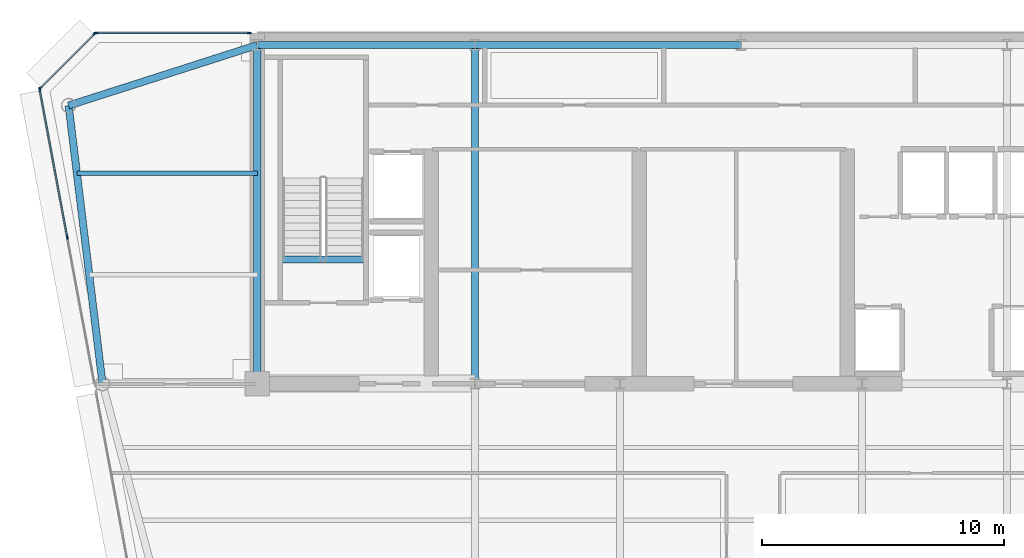
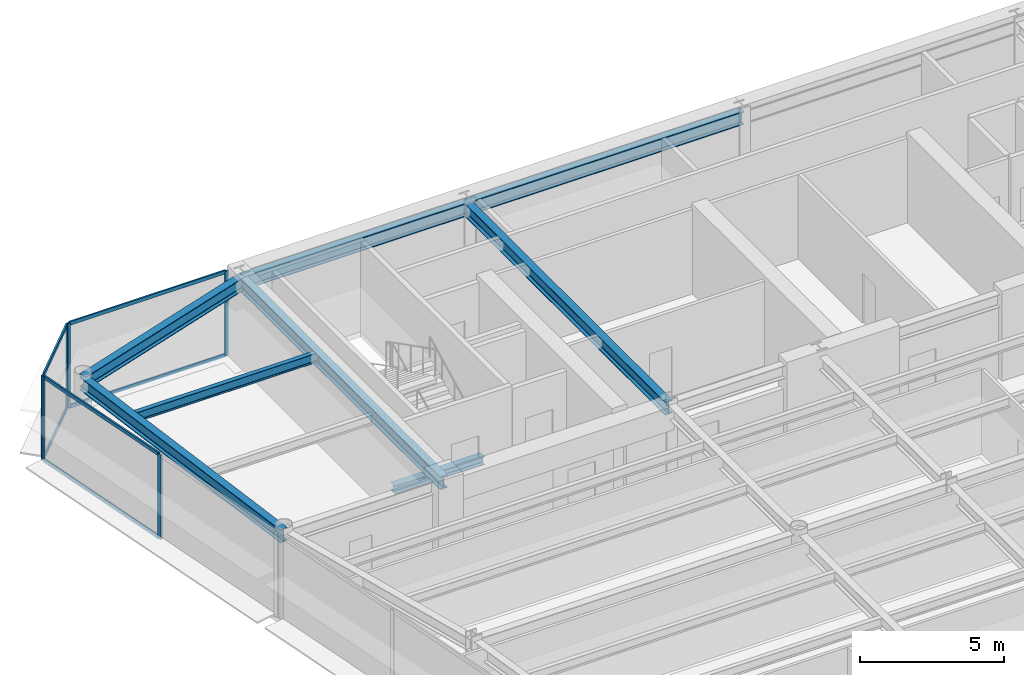
# One storey, part 6 of 14: 12 members, 8 beams, 3 elements without a shape of their own.
"""IFC4 building model written with IfcOpenShell, lengths in metres."""

import ifcopenshell
import ifcopenshell.guid

model = None  # the IFC model being written
_history = None  # IfcOwnerHistory: only IFC2X3 demands one
_inside = {}  # id of a spatial element -> (the spatial element, [elements in it])
_under = {}  # id of a project, library or spatial element -> (it, [spatial elements below it])
_declared = {}  # id of a project -> (the project, [libraries it declares])
_typed = {}  # id of a type object -> (the type object, [elements of that type])
_made_of = {}  # id of a material, layer set ... -> (it, [elements and type objects made of it])


def new_model(schema):
    """Start an empty IFC model of exactly this schema.

    Asked for "IFC4X3", IfcOpenShell would pick the latest addendum, in which some entities
    have other attributes; the version numbers below select the first issue.
    IFC2X3 requires an IfcOwnerHistory on every rooted entity: one is made here for all.
    """
    global model, _history
    if schema == "IFC4X3":
        model = ifcopenshell.file(schema_version=(4, 3, 0, 0))
    else:
        model = ifcopenshell.file(schema=schema)
    _inside.clear()
    _under.clear()
    _declared.clear()
    _typed.clear()
    _made_of.clear()
    _history = None
    if model.schema == "IFC2X3":
        org = make("IfcOrganization", Name="unknown")
        user = make(
            "IfcPersonAndOrganization",
            ThePerson=make("IfcPerson", FamilyName="unknown"),
            TheOrganization=org,
        )
        app = make(
            "IfcApplication",
            ApplicationDeveloper=org,
            Version="unknown",
            ApplicationFullName="unknown",
            ApplicationIdentifier="unknown",
        )
        _history = make(
            "IfcOwnerHistory",
            OwningUser=user,
            OwningApplication=app,
            ChangeAction="ADDED",
            CreationDate=0,
        )
    return model


def make(cls, **values):
    """One entity of the class cls with the attributes given. An attribute that is None is left unset."""
    return model.create_entity(
        cls, **{name: value for name, value in values.items() if value is not None}
    )


def rooted(cls, **values):
    """An entity with a GlobalId (a new one), such as an element, a storey or a relation."""
    return make(cls, GlobalId=ifcopenshell.guid.new(), OwnerHistory=_history, **values)


def si_unit(unit_type, name, prefix=None):
    """IfcSIUnit, for example si_unit("LENGTHUNIT", "METRE", prefix="MILLI")."""
    return make("IfcSIUnit", UnitType=unit_type, Prefix=prefix, Name=name)


def assignment(units):
    """IfcUnitAssignment: the units of a project."""
    return None if units is None else make("IfcUnitAssignment", Units=units)


def point(xyz):
    """IfcCartesianPoint."""
    return None if xyz is None else make("IfcCartesianPoint", Coordinates=xyz)


def direction(xyz):
    """IfcDirection."""
    return None if xyz is None else make("IfcDirection", DirectionRatios=xyz)


def frame(location, z_axis=None, x_axis=None):
    """IfcAxis2Placement3D, a coordinate frame: its origin and axes. An axis left out is left unset."""
    return make(
        "IfcAxis2Placement3D",
        Location=point(location),
        Axis=direction(z_axis),
        RefDirection=direction(x_axis),
    )


def frame_2d(location, x_axis=None):
    """IfcAxis2Placement2D, a coordinate frame in the plane: its origin and x axis."""
    return make(
        "IfcAxis2Placement2D", Location=point(location), RefDirection=direction(x_axis)
    )


def origin():
    """The frame at (0, 0, 0) with its axes left unset."""
    return frame((0.0, 0.0, 0.0))


def origin_2d():
    """The frame at (0, 0) in the plane with its x axis left unset."""
    return frame_2d((0.0, 0.0))


def place(relative_to, where):
    """IfcLocalPlacement: puts the frame where relative to a parent placement (None: the world)."""
    return make(
        "IfcLocalPlacement", PlacementRelTo=relative_to, RelativePlacement=where
    )


def context(
    kind, dimensions, precision=None, world=None, true_north=None, identifier=None
):
    """IfcGeometricRepresentationContext, for example the 3D "Model" context."""
    return make(
        "IfcGeometricRepresentationContext",
        ContextIdentifier=identifier,
        ContextType=kind,
        CoordinateSpaceDimension=dimensions,
        Precision=precision,
        WorldCoordinateSystem=world,
        TrueNorth=true_north,
    )


def subcontext(parent, identifier, kind, view, scale=None):
    """IfcGeometricRepresentationSubContext, for example "Body" below "Model"."""
    return make(
        "IfcGeometricRepresentationSubContext",
        ContextIdentifier=identifier,
        ContextType=kind,
        ParentContext=parent,
        TargetScale=scale,
        TargetView=view,
    )


def project(units=None, contexts=None):
    """IfcProject with its units and contexts."""
    return rooted(
        "IfcProject",
        Name="project",
        RepresentationContexts=contexts,
        UnitsInContext=assignment(units),
    )


def spatial(cls, under=None, at=None, **own):
    """A site, building, storey or space (cls), placed at a placement, below another one or the project."""
    s = rooted(cls, ObjectPlacement=at, **own)
    if under is not None:
        _under.setdefault(under.id(), (under, []))[1].append(s)
    return s


def profile(cls, at=None, kind="AREA", **sizes):
    """A parametric profile (cls). Its sizes go by their IFC names, for example OverallWidth=200.0."""
    return make(cls, ProfileType=kind, Position=at, **sizes)


def rectangle(**sizes):
    """IfcRectangleProfileDef."""
    return profile("IfcRectangleProfileDef", **sizes)


def i_section(**sizes):
    """IfcIShapeProfileDef."""
    return profile("IfcIShapeProfileDef", **sizes)


def extrude(swept, where, along, depth):
    """IfcExtrudedAreaSolid: the profile swept, set in the frame where, extruded along a direction by depth."""
    return make(
        "IfcExtrudedAreaSolid",
        SweptArea=swept,
        Position=where,
        ExtrudedDirection=direction(along),
        Depth=depth,
    )


def shape(context_of_items, identifier, shape_type, items):
    """IfcShapeRepresentation: the items that make up one representation, for example the "Body"."""
    return make(
        "IfcShapeRepresentation",
        ContextOfItems=context_of_items,
        RepresentationIdentifier=identifier,
        RepresentationType=shape_type,
        Items=items,
    )


def source(mapping_origin, context_of_items, identifier, shape_type, items):
    """IfcRepresentationMap: a shape defined once, which mapped items show again and again."""
    return make(
        "IfcRepresentationMap",
        MappingOrigin=mapping_origin,
        MappedRepresentation=shape(context_of_items, identifier, shape_type, items),
    )


def transform(
    local_origin,
    x_axis=None,
    y_axis=None,
    z_axis=None,
    scale=None,
    scale2=None,
    scale3=None,
    uniform=True,
):
    """IfcCartesianTransformationOperator3D, or its non-uniform kind. x_axis, y_axis, z_axis: its Axis1, 2, 3."""
    if uniform:
        return make(
            "IfcCartesianTransformationOperator3D",
            Axis1=direction(x_axis),
            Axis2=direction(y_axis),
            LocalOrigin=point(local_origin),
            Scale=scale,
            Axis3=direction(z_axis),
        )
    return make(
        "IfcCartesianTransformationOperator3DnonUniform",
        Axis1=direction(x_axis),
        Axis2=direction(y_axis),
        LocalOrigin=point(local_origin),
        Scale=scale,
        Axis3=direction(z_axis),
        Scale2=scale2,
        Scale3=scale3,
    )


def mapped(mapping_source, mapping_target):
    """IfcMappedItem: shows the shape of a source again, moved by a transform."""
    return make(
        "IfcMappedItem", MappingSource=mapping_source, MappingTarget=mapping_target
    )


def material(Name=None, Category=None):
    """IfcMaterial."""
    return make("IfcMaterial", Name=Name, Category=Category)


def layer(
    of_material, thickness, ventilated=None, Name=None, Category=None, Priority=None
):
    """IfcMaterialLayer: one layer of a wall or slab, of a material (None: an air gap)."""
    return make(
        "IfcMaterialLayer",
        Material=of_material,
        LayerThickness=thickness,
        IsVentilated=ventilated,
        Name=Name,
        Category=Category,
        Priority=Priority,
    )


def layer_set(layers, Name=None):
    """IfcMaterialLayerSet."""
    return make("IfcMaterialLayerSet", MaterialLayers=layers, LayerSetName=Name)


def material_profile(
    of_material, cross_section, Name=None, Category=None, Priority=None
):
    """IfcMaterialProfile: a cross section and its material."""
    return make(
        "IfcMaterialProfile",
        Name=Name,
        Material=of_material,
        Profile=cross_section,
        Priority=Priority,
        Category=Category,
    )


def profile_set(profiles, Name=None, composite=None):
    """IfcMaterialProfileSet."""
    return make(
        "IfcMaterialProfileSet",
        Name=Name,
        MaterialProfiles=profiles,
        CompositeProfile=composite,
    )


def made_of(thing, what):
    """Note that an element or type object is made of a material, layer set ...; save() writes the relation."""
    if what is not None:
        _made_of.setdefault(what.id(), (what, []))[1].append(thing)
    return thing


def type_object(cls, material=None, **own):
    """A type object (cls), such as IfcWallType, which elements share."""
    return made_of(rooted(cls, **own), material)


def element(
    cls,
    number,
    at=None,
    inside=None,
    cuts=None,
    type_object=None,
    material=None,
    context=None,
    identifier="Body",
    shape_type=None,
    held_by="IfcProductDefinitionShape",
    body=None,
    shapes=None,
    **own,
):
    """One element of the class cls, such as IfcWall. Its Tag is "e" and its number.

    at: its placement. inside: the storey or other place that contains it. cuts: it is an
    opening in that element (IfcRelVoidsElement). A single representation is given by context,
    identifier, shape_type and body (its items); several are given by shapes. held_by: the class
    of the entity that holds the representations. save() writes the other relations.
    """
    e = rooted(cls, Tag="e%d" % number, ObjectPlacement=at, **own)
    if body is not None:
        shapes = [shape(context, identifier, shape_type, body)]
    if shapes is not None:
        e.Representation = make(held_by, Representations=shapes)
    if inside is not None:
        _inside.setdefault(inside.id(), (inside, []))[1].append(e)
    if cuts is not None:
        rooted(
            "IfcRelVoidsElement", RelatingBuildingElement=cuts, RelatedOpeningElement=e
        )
    if type_object is not None:
        _typed.setdefault(type_object.id(), (type_object, []))[1].append(e)
    return made_of(e, material)


def aggregate(whole, parts):
    """IfcRelAggregates: a whole, such as a stair, and the parts it consists of."""
    return rooted("IfcRelAggregates", RelatingObject=whole, RelatedObjects=parts)


def save(model, path):
    """Write the relations noted so far, then the file.

    IfcRelAggregates (storeys below a building ...), IfcRelContainedInSpatialStructure (elements
    in a storey), IfcRelDefinesByType, IfcRelAssociatesMaterial and IfcRelDeclares: one each for
    every whole, place, type object, material and project.
    """
    for whole, parts in _under.values():
        aggregate(whole, parts)
    for where, things in _inside.values():
        rooted(
            "IfcRelContainedInSpatialStructure",
            RelatedElements=things,
            RelatingStructure=where,
        )
    for kind, things in _typed.values():
        rooted("IfcRelDefinesByType", RelatedObjects=things, RelatingType=kind)
    for what, things in _made_of.values():
        rooted("IfcRelAssociatesMaterial", RelatedObjects=things, RelatingMaterial=what)
    for by, libraries in _declared.values():
        rooted("IfcRelDeclares", RelatingContext=by, RelatedDefinitions=libraries)
    model.write(path)


model = new_model("IFC4")

# Units and contexts
model_context = context("Model", 3, precision=1e-05, world=origin(), true_north=direction((0.0, 1.0)))
body_context = subcontext(model_context, "Body", "Model", "MODEL_VIEW")
ifc_project = project(units=[si_unit("LENGTHUNIT", "METRE"), si_unit("AREAUNIT", "SQUARE_METRE"), si_unit("VOLUMEUNIT", "CUBIC_METRE"), si_unit("PLANEANGLEUNIT", "RADIAN"), si_unit("MASSUNIT", "GRAM", prefix="KILO")], contexts=[model_context])

# Site, building, storey
site_placement = place(None, origin())
site = spatial("IfcSite", under=ifc_project, at=site_placement, CompositionType="ELEMENT")
building_placement = place(site_placement, origin())
building = spatial("IfcBuilding", under=site, at=building_placement, Name="Vaeldorn Concourse Tower", CompositionType="ELEMENT")
storey_placement = place(building_placement, frame((0.0, 0.0, 238.39990234375)))
storey = spatial("IfcBuildingStorey", under=building, at=storey_placement, Name="L61", CompositionType="ELEMENT", Elevation=238.39990234375)

# Beams
ifc_material_1 = material(Name="Steel S355", Category="steel")
ifc_material_profile_1 = material_profile(ifc_material_1, i_section(OverallWidth=0.300048828125, OverallDepth=0.340087890625, WebThickness=0.011962890625, FlangeThickness=0.021484375, FilletRadius=0.027099609375, at=origin_2d()), Name="HEB 340")
ifc_profile_set_1 = profile_set([ifc_material_profile_1], Name="Steel S355")
beam_type_1 = type_object("IfcBeamType", Name="BM-ST-TRIM", PredefinedType="BEAM", material=ifc_profile_set_1)
shared_shape_1 = source(origin(), body_context, "Body", "SweptSolid", [
    extrude(i_section(OverallWidth=0.300048828125, OverallDepth=0.340087890625, WebThickness=0.011962890625, FlangeThickness=0.021484375, FilletRadius=0.027099609375, at=origin_2d()), origin(), (0.0, 0.0, 1.0), 3.590087890625),
])
beam_1_placement = place(storey_placement, frame((14.929931640625, 41.639892578125, -0.389892578125), z_axis=(1.0, 0.0, 0.0), x_axis=(0.0, 1.0, 0.0)))
element("IfcBeam", 1, at=beam_1_placement, inside=storey, type_object=beam_type_1, Name="Stair Landing Trimmer Beam ST-1 L61", PredefinedType="BEAM", context=body_context, shape_type="MappedRepresentation", body=[
    mapped(shared_shape_1, transform((0.0, 0.0, 0.0), scale=1.0)),
])
ifc_material_profile_2 = material_profile(ifc_material_1, i_section(OverallWidth=0.179931640625, OverallDepth=0.39990234375, WebThickness=0.008544921875, FlangeThickness=0.013427734375, FilletRadius=0.02099609375, at=origin_2d()), Name="IPE 400")
ifc_profile_set_2 = profile_set([ifc_material_profile_2], Name="Steel S355")
beam_type_2 = type_object("IfcBeamType", Name="BM-JS-IPE400", PredefinedType="JOIST", material=ifc_profile_set_2)
shared_shape_2 = source(origin(), body_context, "Body", "SweptSolid", [
    extrude(i_section(OverallWidth=0.179931640625, OverallDepth=0.39990234375, WebThickness=0.008544921875, FlangeThickness=0.013427734375, FilletRadius=0.02099609375, at=origin_2d()), origin(), (0.0, 0.0, 1.0), 7.458984375),
])
beam_2_placement = place(storey_placement, frame((6.541015625, 45.199951171875, 3.380126953125), z_axis=(1.0, 0.0, 0.0), x_axis=(0.0, 1.0, 0.0)))
element("IfcBeam", 2, at=beam_2_placement, inside=storey, type_object=beam_type_2, Name="Beam JS-L61-NW-452", PredefinedType="JOIST", context=body_context, shape_type="MappedRepresentation", body=[
    mapped(shared_shape_2, transform((0.0, 0.0, 0.0), scale=1.0)),
])
ifc_material_profile_3 = material_profile(ifc_material_1, i_section(OverallWidth=0.300048828125, OverallDepth=0.550048828125, WebThickness=0.014892578125, FlangeThickness=0.029052734375, FilletRadius=0.027099609375, at=origin_2d()), Name="HEB 550")
ifc_profile_set_3 = profile_set([ifc_material_profile_3], Name="Steel S355")
beam_type_3 = type_object("IfcBeamType", Name="BM-PG-HEB550", PredefinedType="BEAM", material=ifc_profile_set_3)
shared_shape_3 = source(origin(), body_context, "Body", "SweptSolid", [
    extrude(i_section(OverallWidth=0.300048828125, OverallDepth=0.550048828125, WebThickness=0.014892578125, FlangeThickness=0.029052734375, FilletRadius=0.027099609375, at=origin_2d()), origin(), (0.0, 0.0, 1.0), 9.0),
])
beam_3_placement = place(storey_placement, frame((14.0, 50.5, 3.30517578125), z_axis=(1.0, 0.0, 0.0), x_axis=(0.0, 1.0, 0.0)))
element("IfcBeam", 3, at=beam_3_placement, inside=storey, type_object=beam_type_3, Name="Beam BM-L61-C-HC1-C-HC2", PredefinedType="BEAM", context=body_context, shape_type="MappedRepresentation", body=[
    mapped(shared_shape_3, transform((0.0, 0.0, 0.0), scale=1.0)),
])
shared_shape_4 = source(origin(), body_context, "Body", "SweptSolid", [
    extrude(i_section(OverallWidth=0.300048828125, OverallDepth=0.550048828125, WebThickness=0.014892578125, FlangeThickness=0.029052734375, FilletRadius=0.027099609375, at=origin_2d()), origin(), (0.0, 0.0, 1.0), 11.0),
])
beam_4_placement = place(storey_placement, frame((23.0, 50.5, 3.30517578125), z_axis=(1.0, 0.0, 0.0), x_axis=(0.0, 1.0, 0.0)))
element("IfcBeam", 4, at=beam_4_placement, inside=storey, type_object=beam_type_3, Name="Beam BM-L61-C-HC2-C-HC3", PredefinedType="BEAM", context=body_context, shape_type="MappedRepresentation", body=[
    mapped(shared_shape_4, transform((0.0, 0.0, 0.0), scale=1.0)),
])
shared_shape_5 = source(origin(), body_context, "Body", "SweptSolid", [
    extrude(i_section(OverallWidth=0.300048828125, OverallDepth=0.550048828125, WebThickness=0.014892578125, FlangeThickness=0.029052734375, FilletRadius=0.027099609375, at=origin_2d()), origin(), (0.0, 0.0, 1.0), 14.0),
])
for number, where, z_axis, x_axis, name in (
    (5, (14.0, 36.5, 3.30517578125), (0.0, 1.0, 0.0), (-1.0, 0.0, 0.0), "Beam BM-L61-C-FC1-C-HC1"),
    (6, (23.0, 36.5, 3.30517578125), (0.0, 1.0, 0.0), (-1.0, 0.0, 0.0), "Beam BM-L61-C-FC2-C-HC2"),
):
    element("IfcBeam", number, at=place(storey_placement, frame(where, z_axis=z_axis, x_axis=x_axis)), inside=storey, type_object=beam_type_3, Name=name, PredefinedType="BEAM", context=body_context, shape_type="MappedRepresentation", body=[
        mapped(shared_shape_5, transform((0.0, 0.0, 0.0), scale=1.0)),
    ])
shared_shape_6 = source(origin(), body_context, "Body", "SweptSolid", [
    extrude(i_section(OverallWidth=0.300048828125, OverallDepth=0.550048828125, WebThickness=0.014892578125, FlangeThickness=0.029052734375, FilletRadius=0.027099609375, at=origin_2d()), origin(), (0.0, 0.0, 1.0), 8.19091796875),
])
beam_5_placement = place(storey_placement, frame((6.199951171875, 48.0, 3.30517578125), z_axis=(0.952282843383, 0.305216949396, 0.0), x_axis=(-0.305216949396, 0.952282843383, 0.0)))
element("IfcBeam", 7, at=beam_5_placement, inside=storey, type_object=beam_type_3, Name="Beam BM-L61-C-NW1-C-HC1", PredefinedType="BEAM", context=body_context, shape_type="MappedRepresentation", body=[
    mapped(shared_shape_6, transform((0.0, 0.0, 0.0), scale=1.0)),
])
shared_shape_7 = source(origin(), body_context, "Body", "SweptSolid", [
    extrude(i_section(OverallWidth=0.300048828125, OverallDepth=0.550048828125, WebThickness=0.014892578125, FlangeThickness=0.029052734375, FilletRadius=0.027099609375, at=origin_2d()), origin(), (0.0, 0.0, 1.0), 11.5849609375),
])
beam_6_placement = place(storey_placement, frame((6.199951171875, 48.0, 3.30517578125), z_axis=(0.120859382899, -0.992669637677, 0.0), x_axis=(0.992669637677, 0.120859382899, 0.0)))
element("IfcBeam", 8, at=beam_6_placement, inside=storey, type_object=beam_type_3, Name="Beam BM-L61-C-NW1-C-NW2", PredefinedType="BEAM", context=body_context, shape_type="MappedRepresentation", body=[
    mapped(shared_shape_7, transform((0.0, 0.0, 0.0), scale=1.0)),
])

# Curtain wall, members
ifc_material_2 = material(Name="Anodised Bronze Aluminium", Category="aluminium")
ifc_layer_1 = layer(ifc_material_2, 0.179931640625)
ifc_layer_set_1 = layer_set([ifc_layer_1], Name="Anodised Bronze Aluminium")
curtain_wall_type_1 = type_object("IfcCurtainWallType", Name="CW-SYS-05", PredefinedType="NOTDEFINED", material=ifc_layer_set_1)
curtain_wall_1_placement = place(storey_placement, origin())
curtain_wall_1 = element("IfcCurtainWall", 9, at=curtain_wall_1_placement, inside=storey, type_object=curtain_wall_type_1, Name="Unitised Curtain Wall CW-L61-E10-1", PredefinedType="NOTDEFINED")
ifc_material_profile_4 = material_profile(ifc_material_2, rectangle(XDim=0.06494140625, YDim=0.14990234375, at=origin_2d()), Name="CWT 65x150")
ifc_profile_set_4 = profile_set([ifc_material_profile_4], Name="Anodised Bronze Aluminium")
member_type_1 = type_object("IfcMemberType", Name="CWT-BRONZE-150", PredefinedType="USERDEFINED", material=ifc_profile_set_4)
shared_shape_8 = source(origin(), body_context, "Body", "SweptSolid", [
    extrude(rectangle(XDim=0.06494140625, YDim=0.14990234375, at=origin_2d()), origin(), (0.0, 0.0, 1.0), 3.123046875),
])
member_1_placement = place(storey_placement, frame((7.254150390625, 50.9541015625, 0.03271484375), z_axis=(-0.707106781187, -0.707106781187, 0.0), x_axis=(0.707106781187, -0.707106781187, 0.0)))
member_1 = element("IfcMember", 10, at=member_1_placement, type_object=member_type_1, Name="CW-05 transom 1.1", ObjectType="TRANSOM", PredefinedType="USERDEFINED", context=body_context, shape_type="MappedRepresentation", body=[
    mapped(shared_shape_8, transform((0.0, 0.0, 0.0), scale=1.0)),
])
member_2_placement = place(storey_placement, frame((7.254150390625, 50.9541015625, 3.547607421875), z_axis=(-0.707106781187, -0.707106781187, 0.0), x_axis=(0.707106781187, -0.707106781187, 0.0)))
member_2 = element("IfcMember", 11, at=member_2_placement, type_object=member_type_1, Name="CW-05 transom 1.2", ObjectType="TRANSOM", PredefinedType="USERDEFINED", context=body_context, shape_type="MappedRepresentation", body=[
    mapped(shared_shape_8, transform((0.0, 0.0, 0.0), scale=1.0)),
])

curtain_wall_2_placement = place(storey_placement, origin())
curtain_wall_2 = element("IfcCurtainWall", 12, at=curtain_wall_2_placement, inside=storey, type_object=curtain_wall_type_1, Name="Unitised Curtain Wall CW-L61-E09-2", PredefinedType="NOTDEFINED")
ifc_material_profile_5 = material_profile(ifc_material_2, rectangle(XDim=0.06494140625, YDim=0.169921875, at=origin_2d()), Name="CWM 65x170")
ifc_profile_set_5 = profile_set([ifc_material_profile_5], Name="Anodised Bronze Aluminium")
member_type_2 = type_object("IfcMemberType", Name="CWM-BRONZE-170", PredefinedType="MULLION", material=ifc_profile_set_5)
shared_shape_9 = source(origin(), body_context, "Body", "SweptSolid", [
    extrude(rectangle(XDim=0.06494140625, YDim=0.169921875, at=origin_2d()), origin(), (0.0, 0.0, 1.0), 3.580078125),
])
member_3_placement = place(storey_placement, frame((13.672607421875, 51.0, 0.0), z_axis=(0.0, 0.0, 1.0), x_axis=(0.0, -1.0, 0.0)))
member_3 = element("IfcMember", 13, at=member_3_placement, type_object=member_type_2, Name="CW-05 mullion 1", PredefinedType="MULLION", context=body_context, shape_type="MappedRepresentation", body=[
    mapped(shared_shape_9, transform((0.0, 0.0, 0.0), scale=1.0)),
])
member_4_placement = place(storey_placement, frame((7.33251953125, 51.0, 0.0), z_axis=(0.0, 0.0, 1.0), x_axis=(0.0, -1.0, 0.0)))
member_4 = element("IfcMember", 14, at=member_4_placement, type_object=member_type_2, Name="CW-05 mullion 2", PredefinedType="MULLION", context=body_context, shape_type="MappedRepresentation", body=[
    mapped(shared_shape_9, transform((0.0, 0.0, 0.0), scale=1.0)),
])

# Member
member_5_placement = place(storey_placement, frame((7.277099609375, 50.97705078125, 0.0), z_axis=(0.0, 0.0, 1.0), x_axis=(0.707106781187, -0.707106781187, 0.0)))
member_5 = element("IfcMember", 15, at=member_5_placement, type_object=member_type_2, Name="CW-05 mullion 1", PredefinedType="MULLION", context=body_context, shape_type="MappedRepresentation", body=[
    mapped(shared_shape_9, transform((0.0, 0.0, 0.0), scale=1.0)),
])

member_6_placement = place(storey_placement, frame((5.02294921875, 48.722900390625, 0.0), z_axis=(0.0, 0.0, 1.0), x_axis=(0.707106781187, -0.707106781187, 0.0)))
member_6 = element("IfcMember", 16, at=member_6_placement, type_object=member_type_2, Name="CW-05 mullion 2", PredefinedType="MULLION", context=body_context, shape_type="MappedRepresentation", body=[
    mapped(shared_shape_9, transform((0.0, 0.0, 0.0), scale=1.0)),
])

aggregate(curtain_wall_1, [member_5, member_6, member_1, member_2])

# Curtain wall, members
ifc_layer_2 = layer(ifc_material_2, 0.2099609375)
ifc_layer_set_2 = layer_set([ifc_layer_2], Name="Anodised Bronze Aluminium")
curtain_wall_type_2 = type_object("IfcCurtainWallType", Name="CW-SYS-06", PredefinedType="NOTDEFINED", material=ifc_layer_set_2)
curtain_wall_3_placement = place(storey_placement, origin())
curtain_wall_3 = element("IfcCurtainWall", 17, at=curtain_wall_3_placement, inside=storey, type_object=curtain_wall_type_2, Name="Unitised Curtain Wall CW-L61-E11-1", PredefinedType="NOTDEFINED")
member_7_placement = place(storey_placement, frame((5.005859375, 48.66796875, 0.0), z_axis=(0.0, 0.0, 1.0), x_axis=(0.983102768025, 0.183054493257, 0.0)))
member_7 = element("IfcMember", 18, at=member_7_placement, type_object=member_type_2, Name="CW-06 mullion 1", PredefinedType="MULLION", context=body_context, shape_type="MappedRepresentation", body=[
    mapped(shared_shape_9, transform((0.0, 0.0, 0.0), scale=1.0)),
])
member_8_placement = place(storey_placement, frame((6.142578125, 42.564208984375, 0.0), z_axis=(0.0, 0.0, 1.0), x_axis=(0.983102768025, 0.183054493257, 0.0)))
member_8 = element("IfcMember", 19, at=member_8_placement, type_object=member_type_2, Name="CW-06 mullion 2", PredefinedType="MULLION", context=body_context, shape_type="MappedRepresentation", body=[
    mapped(shared_shape_9, transform((0.0, 0.0, 0.0), scale=1.0)),
])

# Member
shared_shape_10 = source(origin(), body_context, "Body", "SweptSolid", [
    extrude(rectangle(XDim=0.06494140625, YDim=0.14990234375, at=origin_2d()), origin(), (0.0, 0.0, 1.0), 6.27490234375),
])
member_9_placement = place(storey_placement, frame((13.639892578125, 51.0, 0.03271484375), z_axis=(-1.0, 0.0, 0.0), x_axis=(0.0, -1.0, 0.0)))
member_9 = element("IfcMember", 20, at=member_9_placement, type_object=member_type_1, Name="CW-05 transom 1.1", ObjectType="TRANSOM", PredefinedType="USERDEFINED", context=body_context, shape_type="MappedRepresentation", body=[
    mapped(shared_shape_10, transform((0.0, 0.0, 0.0), scale=1.0)),
])

member_10_placement = place(storey_placement, frame((13.639892578125, 51.0, 3.547607421875), z_axis=(-1.0, 0.0, 0.0), x_axis=(0.0, -1.0, 0.0)))
member_10 = element("IfcMember", 21, at=member_10_placement, type_object=member_type_1, Name="CW-05 transom 1.2", ObjectType="TRANSOM", PredefinedType="USERDEFINED", context=body_context, shape_type="MappedRepresentation", body=[
    mapped(shared_shape_10, transform((0.0, 0.0, 0.0), scale=1.0)),
])

aggregate(curtain_wall_2, [member_3, member_4, member_9, member_10])

shared_shape_11 = source(origin(), body_context, "Body", "SweptSolid", [
    extrude(rectangle(XDim=0.06494140625, YDim=0.14990234375, at=origin_2d()), origin(), (0.0, 0.0, 1.0), 6.1435546875),
])
member_11_placement = place(storey_placement, frame((5.011962890625, 48.635986328125, 0.03271484375), z_axis=(0.183038328644, -0.983105777751, 0.0), x_axis=(0.983105777751, 0.183038328644, 0.0)))
member_11 = element("IfcMember", 22, at=member_11_placement, type_object=member_type_1, Name="CW-06 transom 1.1", ObjectType="TRANSOM", PredefinedType="USERDEFINED", context=body_context, shape_type="MappedRepresentation", body=[
    mapped(shared_shape_11, transform((0.0, 0.0, 0.0), scale=1.0)),
])

member_12_placement = place(storey_placement, frame((5.011962890625, 48.635986328125, 3.547607421875), z_axis=(0.183038328644, -0.983105777751, 0.0), x_axis=(0.983105777751, 0.183038328644, 0.0)))
member_12 = element("IfcMember", 23, at=member_12_placement, type_object=member_type_1, Name="CW-06 transom 1.2", ObjectType="TRANSOM", PredefinedType="USERDEFINED", context=body_context, shape_type="MappedRepresentation", body=[
    mapped(shared_shape_11, transform((0.0, 0.0, 0.0), scale=1.0)),
])

aggregate(curtain_wall_3, [member_7, member_8, member_11, member_12])

save(model, "model.ifc")
